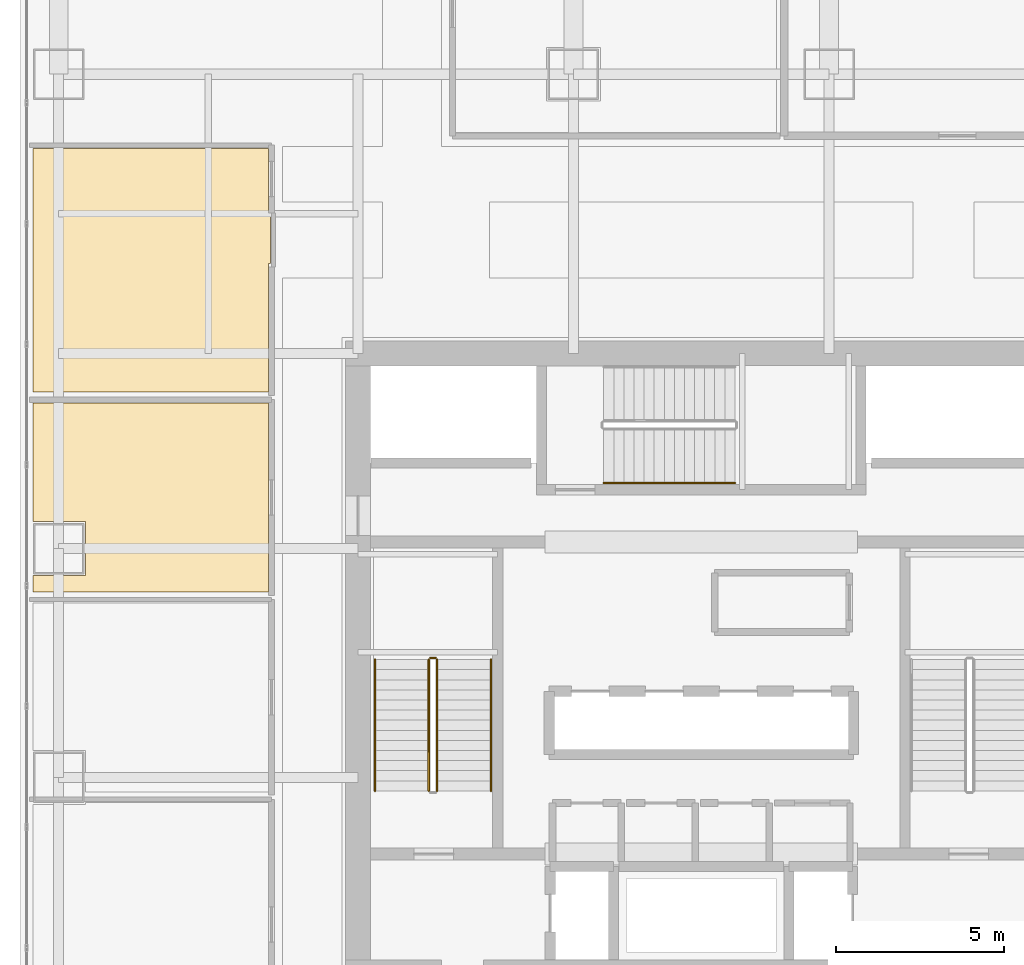
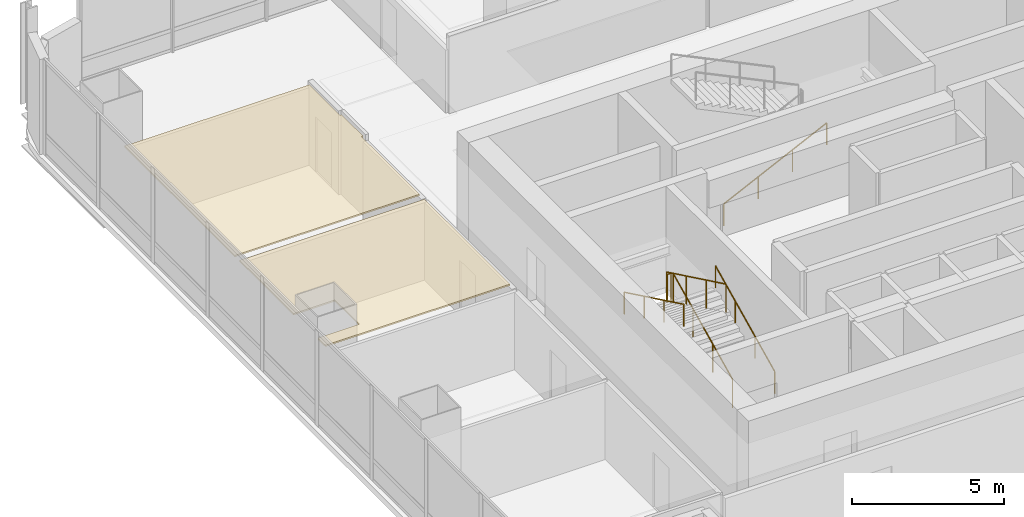
# One storey, part 31 of 34: 6 railings, 2 coverings.
"""IFC4 building model written with IfcOpenShell, lengths in metres."""

from ifc_helpers import new_model, si_unit, direction, frame, origin, origin_2d, place, context, subcontext, project, spatial, polyline, circle, outline, extrude, material, layer, layer_set, type_object, element, save


model = new_model("IFC4")

# Units and contexts
model_context = context("Model", 3, precision=1e-05, world=origin(), true_north=direction((0.0, 1.0)))
body_context = subcontext(model_context, "Body", "Model", "MODEL_VIEW")
ifc_project = project(units=[si_unit("LENGTHUNIT", "METRE"), si_unit("AREAUNIT", "SQUARE_METRE"), si_unit("VOLUMEUNIT", "CUBIC_METRE"), si_unit("PLANEANGLEUNIT", "RADIAN"), si_unit("MASSUNIT", "GRAM", prefix="KILO")], contexts=[model_context])

# Site, building, storey
site_placement = place(None, origin())
site = spatial("IfcSite", under=ifc_project, at=site_placement, CompositionType="ELEMENT")
building_placement = place(site_placement, origin())
building = spatial("IfcBuilding", under=site, at=building_placement, Name="Punatoya Terracotta Tower", CompositionType="ELEMENT")
storey_placement = place(building_placement, frame((0.0, 0.0, 117.300048828125)))
storey = spatial("IfcBuildingStorey", under=building, at=storey_placement, Name="L27", CompositionType="ELEMENT", Elevation=117.300048828125)

# Coverings
ifc_material_1 = material(Name="Acoustic Mineral Fibre Ceiling")
ifc_layer = layer(ifc_material_1, 0.06005859375)
ifc_layer_set = layer_set([ifc_layer], Name="Acoustic Mineral Fibre Ceiling")
covering_type = type_object("IfcCoveringType", Name="COV-CEIL-60", PredefinedType="CEILING", material=ifc_layer_set)
covering_1_placement = place(storey_placement, frame((0.0, 0.0, 3.199951171875)))
element("IfcCovering", 1, at=covering_1_placement, inside=storey, type_object=covering_type, Name="L27 Open-Plan Laboratory Staff Pantry Acoustic Ceiling", PredefinedType="CEILING", context=body_context, shape_type="SweptSolid", body=[
    extrude(outline(polyline([(-12.8701171875, 2.110107421875), (-12.8701171875, 7.72998046875), (-19.8701171875, 7.72998046875), (-19.8701171875, 4.199951171875), (-18.300048828125, 4.199951171875), (-18.300048828125, 2.60009765625), (-19.8701171875, 2.60009765625), (-19.8701171875, 2.110107421875), (-12.8701171875, 2.110107421875)])), origin(), (0.0, 0.0, 1.0), 0.06005859375),
])
covering_2_placement = place(storey_placement, frame((0.0, 0.0, 3.199951171875)))
element("IfcCovering", 2, at=covering_2_placement, inside=storey, type_object=covering_type, Name="L27 Wellness Rest Room Acoustic Ceiling", PredefinedType="CEILING", context=body_context, shape_type="SweptSolid", body=[
    extrude(outline(polyline([(-12.8701171875, 11.8701171875), (-12.81005859375, 11.8701171875), (-12.81005859375, 13.280029296875), (-12.8701171875, 13.280029296875), (-12.8701171875, 15.2900390625), (-19.8701171875, 15.2900390625), (-19.8701171875, 8.050048828125), (-12.8701171875, 8.050048828125), (-12.8701171875, 11.8701171875)])), origin(), (0.0, 0.0, 1.0), 0.06005859375),
])

# Railings
ifc_material_2 = material(Name="Steel S355", Category="steel")
railing_type_1 = type_object("IfcRailingType", Name="RLG-GRD-1150", PredefinedType="GUARDRAIL", material=ifc_material_2)
railing_1_placement = place(storey_placement, frame((-7.85009765625, -3.800048828125, 0.14453125)))
element("IfcRailing", 3, at=railing_1_placement, inside=storey, type_object=railing_type_1, Name="L27 ST-1 stair guard 1", PredefinedType="GUARDRAIL", context=body_context, shape_type="SweptSolid", body=[
    extrude(circle(Radius=0.02392578125, at=origin_2d()), frame((0.0, 0.0, 1.1259765625), z_axis=(0.0, 0.900773802044, 0.434288564841), x_axis=(-1.0, 0.0, 0.0)), (0.0, 0.0, 1.0), 4.329833984375),
    extrude(circle(Radius=0.02099609375, at=origin_2d()), origin(), (0.0, 0.0, 1.0), 1.101806640625),
    extrude(circle(Radius=0.02099609375, at=origin_2d()), frame((0.0, 1.300048828125, 0.626708984375)), (0.0, 0.0, 1.0), 1.101806640625),
    extrude(circle(Radius=0.02099609375, at=origin_2d()), frame((0.0, 2.60009765625, 1.253662109375)), (0.0, 0.0, 1.0), 1.101806640625),
    extrude(circle(Radius=0.02099609375, at=origin_2d()), frame((0.0, 3.900146484375, 1.88037109375)), (0.0, 0.0, 1.0), 1.101806640625),
])
railing_2_placement = place(storey_placement, frame((-7.89990234375, 0.14990234375, 2.02490234375)))
element("IfcRailing", 4, at=railing_2_placement, inside=storey, type_object=railing_type_1, Name="L27 ST-1 stair guard 2", PredefinedType="GUARDRAIL", context=body_context, shape_type="SweptSolid", body=[
    extrude(circle(Radius=0.02392578125, at=origin_2d()), frame((0.0, 0.0, 1.1259765625), z_axis=(-1.0, 0.0, 0.0), x_axis=(0.0, -1.0, 0.0)), (0.0, 0.0, 1.0), 0.150146484375),
    extrude(circle(Radius=0.02099609375, at=origin_2d()), origin(), (0.0, 0.0, 1.0), 1.101806640625),
    extrude(circle(Radius=0.02099609375, at=origin_2d()), frame((-0.150146484375, 0.0, 0.0)), (0.0, 0.0, 1.0), 1.101806640625),
])
railing_3_placement = place(storey_placement, frame((-8.10009765625, 0.10009765625, 2.169677734375)))
element("IfcRailing", 5, at=railing_3_placement, inside=storey, type_object=railing_type_1, Name="L27 ST-1 stair guard 3", PredefinedType="GUARDRAIL", context=body_context, shape_type="SweptSolid", body=[
    extrude(circle(Radius=0.02392578125, at=origin_2d()), frame((0.0, 0.0, 1.1259765625), z_axis=(0.0, -0.900773802044, 0.434288564841), x_axis=(1.0, 0.0, 0.0)), (0.0, 0.0, 1.0), 4.329833984375),
    extrude(circle(Radius=0.02099609375, at=origin_2d()), origin(), (0.0, 0.0, 1.0), 1.101806640625),
    extrude(circle(Radius=0.02099609375, at=origin_2d()), frame((0.0, -1.300048828125, 0.626708984375)), (0.0, 0.0, 1.0), 1.101806640625),
    extrude(circle(Radius=0.02099609375, at=origin_2d()), frame((0.0, -2.60009765625, 1.253662109375)), (0.0, 0.0, 1.0), 1.101806640625),
    extrude(circle(Radius=0.02099609375, at=origin_2d()), frame((0.0, -3.900146484375, 1.88037109375)), (0.0, 0.0, 1.0), 1.101806640625),
])
railing_type_2 = type_object("IfcRailingType", Name="RLG-HND-900", PredefinedType="HANDRAIL", material=ifc_material_2)
railing_4_placement = place(storey_placement, frame((-6.25, -3.800048828125, 0.14453125)))
element("IfcRailing", 6, at=railing_4_placement, inside=storey, type_object=railing_type_2, Name="L27 ST-1 stair handrail 1", PredefinedType="HANDRAIL", context=body_context, shape_type="SweptSolid", body=[
    extrude(circle(Radius=0.02392578125, at=origin_2d()), frame((0.0, 0.0, 0.8759765625), z_axis=(0.0, 0.900773802044, 0.434288564841), x_axis=(-1.0, 0.0, 0.0)), (0.0, 0.0, 1.0), 4.329833984375),
    extrude(circle(Radius=0.02099609375, at=origin_2d()), origin(), (0.0, 0.0, 1.0), 0.851806640625),
    extrude(circle(Radius=0.02099609375, at=origin_2d()), frame((0.0, 1.300048828125, 0.626708984375)), (0.0, 0.0, 1.0), 0.851806640625),
    extrude(circle(Radius=0.02099609375, at=origin_2d()), frame((0.0, 2.60009765625, 1.253662109375)), (0.0, 0.0, 1.0), 0.851806640625),
    extrude(circle(Radius=0.02099609375, at=origin_2d()), frame((0.0, 3.900146484375, 1.88037109375)), (0.0, 0.0, 1.0), 0.851806640625),
])
railing_5_placement = place(storey_placement, frame((-9.699951171875, 0.10009765625, 2.169677734375)))
element("IfcRailing", 7, at=railing_5_placement, inside=storey, type_object=railing_type_2, Name="L27 ST-1 stair handrail 2", PredefinedType="HANDRAIL", context=body_context, shape_type="SweptSolid", body=[
    extrude(circle(Radius=0.02392578125, at=origin_2d()), frame((0.0, 0.0, 0.8759765625), z_axis=(0.0, -0.900773802044, 0.434288564841), x_axis=(1.0, 0.0, 0.0)), (0.0, 0.0, 1.0), 4.329833984375),
    extrude(circle(Radius=0.02099609375, at=origin_2d()), origin(), (0.0, 0.0, 1.0), 0.851806640625),
    extrude(circle(Radius=0.02099609375, at=origin_2d()), frame((0.0, -1.300048828125, 0.626708984375)), (0.0, 0.0, 1.0), 0.851806640625),
    extrude(circle(Radius=0.02099609375, at=origin_2d()), frame((0.0, -2.60009765625, 1.253662109375)), (0.0, 0.0, 1.0), 0.851806640625),
    extrude(circle(Radius=0.02099609375, at=origin_2d()), frame((0.0, -3.900146484375, 1.88037109375)), (0.0, 0.0, 1.0), 0.851806640625),
])
railing_6_placement = place(storey_placement, frame((-2.89990234375, 5.35009765625, 0.14453125)))
element("IfcRailing", 8, at=railing_6_placement, inside=storey, type_object=railing_type_2, Name="L27 ST-3 stair handrail 1", PredefinedType="HANDRAIL", context=body_context, shape_type="SweptSolid", body=[
    extrude(circle(Radius=0.02392578125, at=origin_2d()), frame((0.0, 0.0, 0.8759765625), z_axis=(0.900763166376, 0.0, 0.434310623978), x_axis=(0.0, 1.0, 0.0)), (0.0, 0.0, 1.0), 4.32958984375),
    extrude(circle(Radius=0.02099609375, at=origin_2d()), origin(), (0.0, 0.0, 1.0), 0.851806640625),
    extrude(circle(Radius=0.02099609375, at=origin_2d()), frame((1.300048828125, 0.0, 0.626708984375)), (0.0, 0.0, 1.0), 0.851806640625),
    extrude(circle(Radius=0.02099609375, at=origin_2d()), frame((2.599853515625, 0.0, 1.253662109375)), (0.0, 0.0, 1.0), 0.851806640625),
    extrude(circle(Radius=0.02099609375, at=origin_2d()), frame((3.89990234375, 0.0, 1.88037109375)), (0.0, 0.0, 1.0), 0.851806640625),
])

save(model, "model.ifc")
